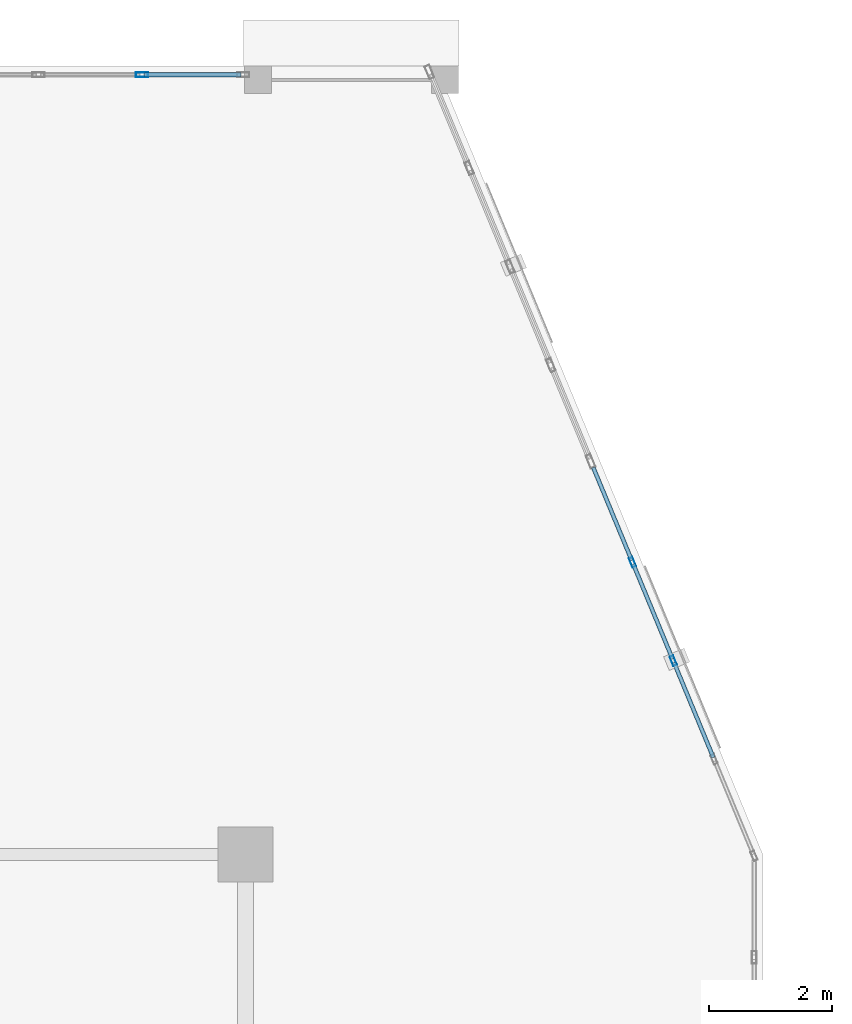
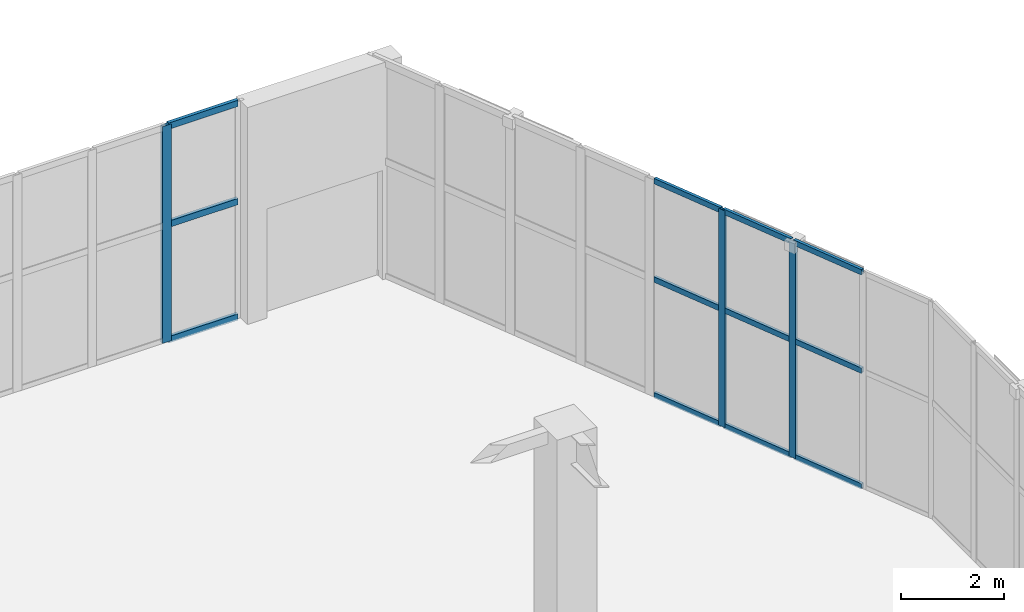
# One storey, part 63 of 139: 15 members, 2 elements without a shape of their own.
"""IFC4 building model written with IfcOpenShell, lengths in metres."""

from ifc_helpers import new_model, si_unit, direction, frame, origin, origin_2d, place, context, subcontext, project, spatial, hollow_rectangle, extrude, material, layer, layer_set, material_profile, profile_set, type_object, element, aggregate, save


model = new_model("IFC4")

# Units and contexts
model_context = context("Model", 3, precision=1e-05, world=origin(), true_north=direction((0.0, 1.0)))
body_context = subcontext(model_context, "Body", "Model", "MODEL_VIEW")
ifc_project = project(units=[si_unit("LENGTHUNIT", "METRE"), si_unit("AREAUNIT", "SQUARE_METRE"), si_unit("VOLUMEUNIT", "CUBIC_METRE"), si_unit("PLANEANGLEUNIT", "RADIAN"), si_unit("MASSUNIT", "GRAM", prefix="KILO")], contexts=[model_context])

# Site, building, storey
site_placement = place(None, origin())
site = spatial("IfcSite", under=ifc_project, at=site_placement, CompositionType="ELEMENT")
building_placement = place(site_placement, origin())
building = spatial("IfcBuilding", under=site, at=building_placement, Name="Xicomal Pleat Aquarium", CompositionType="ELEMENT")
storey_placement = place(building_placement, origin())
storey = spatial("IfcBuildingStorey", under=building, at=storey_placement, Name="L01", CompositionType="ELEMENT", Elevation=0.0)

# Curtain wall, members
ifc_material_1 = material(Name="Bronze anodized aluminium 6063-T6", Category="aluminium")
ifc_layer_1 = layer(ifc_material_1, 0.159912109375)
ifc_layer_set_1 = layer_set([ifc_layer_1], Name="Bronze anodized aluminium 6063-T6")
curtain_wall_type_1 = type_object("IfcCurtainWallType", Name="CW-SYS-01", PredefinedType="NOTDEFINED", material=ifc_layer_set_1)
curtain_wall_1_placement = place(storey_placement, origin())
curtain_wall_1 = element("IfcCurtainWall", 1, at=curtain_wall_1_placement, inside=storey, type_object=curtain_wall_type_1, Name="L01 unitised curtain wall CW-L01-018", PredefinedType="NOTDEFINED")
ifc_material_2 = material(Name="Bronze anodized aluminium 6063-T6", Category="aluminium")
ifc_material_profile_1 = material_profile(ifc_material_2, hollow_rectangle(XDim=0.06494140625, YDim=0.159912109375, WallThickness=0.00390625, at=origin_2d()), Name="ALU MULL 65x160")
ifc_profile_set_1 = profile_set([ifc_material_profile_1], Name="Bronze anodized aluminium 6063-T6")
member_type_1 = type_object("IfcMemberType", Name="CWM-65x160", PredefinedType="MULLION", material=ifc_profile_set_1)
member_1_placement = place(storey_placement, frame((24.883544921875, 103.14599609375, 0.0), z_axis=(0.0, 0.0, 1.0), x_axis=(0.923928870591, 0.382564297978, 0.0)))
member_1 = element("IfcMember", 2, at=member_1_placement, type_object=member_type_1, Name="CW-01 mullion 2", PredefinedType="MULLION", context=body_context, shape_type="SweptSolid", body=[
    extrude(hollow_rectangle(XDim=0.06494140625, YDim=0.159912109375, WallThickness=0.00390625, at=origin_2d()), origin(), (0.0, 0.0, 1.0), 5.159912109375),
])
member_2_placement = place(storey_placement, frame((25.5458984375, 101.5458984375, 0.0), z_axis=(0.0, 0.0, 1.0), x_axis=(0.923928870591, 0.382564297978, 0.0)))
member_2 = element("IfcMember", 3, at=member_2_placement, type_object=member_type_1, Name="CW-01 mullion 3", PredefinedType="MULLION", context=body_context, shape_type="SweptSolid", body=[
    extrude(hollow_rectangle(XDim=0.06494140625, YDim=0.159912109375, WallThickness=0.00390625, at=origin_2d()), origin(), (0.0, 0.0, 1.0), 5.159912109375),
])

# Curtain wall, member
ifc_material_3 = material(Name="Bronze anodized aluminium 6063-T6", Category="aluminium")
ifc_layer_2 = layer(ifc_material_3, 0.159912109375)
ifc_layer_set_2 = layer_set([ifc_layer_2], Name="Bronze anodized aluminium 6063-T6")
curtain_wall_type_2 = type_object("IfcCurtainWallType", Name="CW-SYS-06", PredefinedType="NOTDEFINED", material=ifc_layer_set_2)
curtain_wall_2_placement = place(storey_placement, origin())
curtain_wall_2 = element("IfcCurtainWall", 4, at=curtain_wall_2_placement, inside=storey, type_object=curtain_wall_type_2, Name="L01 unitised curtain wall CW-L01-016", PredefinedType="NOTDEFINED")
ifc_material_4 = material(Name="Bronze anodized aluminium 6063-T6", Category="aluminium")
ifc_material_profile_2 = material_profile(ifc_material_4, hollow_rectangle(XDim=0.074951171875, YDim=0.199951171875, WallThickness=0.00439453125, at=origin_2d()), Name="ALU MULL 75x200")
ifc_profile_set_2 = profile_set([ifc_material_profile_2], Name="Bronze anodized aluminium 6063-T6")
member_type_2 = type_object("IfcMemberType", Name="CWM-75x200", PredefinedType="MULLION", material=ifc_profile_set_2)
member_3_placement = place(storey_placement, frame((16.919921875, 111.06005859375, 0.0), z_axis=(0.0, 0.0, 1.0), x_axis=(0.0, 1.0, 0.0)))
member_3 = element("IfcMember", 5, at=member_3_placement, type_object=member_type_2, Name="CW-06 mullion 5", PredefinedType="MULLION", context=body_context, shape_type="SweptSolid", body=[
    extrude(hollow_rectangle(XDim=0.074951171875, YDim=0.199951171875, WallThickness=0.00439453125, at=origin_2d()), origin(), (0.0, 0.0, 1.0), 5.159912109375),
])

# Member
ifc_material_5 = material(Name="Bronze anodized aluminium 6063-T6", Category="aluminium")
ifc_material_profile_3 = material_profile(ifc_material_5, hollow_rectangle(XDim=0.06494140625, YDim=0.1298828125, WallThickness=0.00390625, at=origin_2d()), Name="ALU TRAN 65x130")
ifc_profile_set_3 = profile_set([ifc_material_profile_3], Name="Bronze anodized aluminium 6063-T6")
member_type_3 = type_object("IfcMemberType", Name="CWT-65x130", PredefinedType="USERDEFINED", material=ifc_profile_set_3)
member_4_placement = place(storey_placement, frame((24.245849609375, 104.685791015625, 0.032470703125), z_axis=(0.3826200946, -0.923905765329, 0.0), x_axis=(0.923905765329, 0.3826200946, 0.0)))
member_4 = element("IfcMember", 6, at=member_4_placement, type_object=member_type_3, Name="CW-01 transom 1.1", ObjectType="TRANSOM", PredefinedType="USERDEFINED", context=body_context, shape_type="SweptSolid", body=[
    extrude(hollow_rectangle(XDim=0.06494140625, YDim=0.1298828125, WallThickness=0.00390625, at=origin_2d()), origin(), (0.0, 0.0, 1.0), 1.634033203125),
])

member_5_placement = place(storey_placement, frame((24.245849609375, 104.685791015625, 2.785888671875), z_axis=(0.3826200946, -0.923905765329, 0.0), x_axis=(0.923905765329, 0.3826200946, 0.0)))
member_5 = element("IfcMember", 7, at=member_5_placement, type_object=member_type_3, Name="CW-01 transom 1.2", ObjectType="TRANSOM", PredefinedType="USERDEFINED", context=body_context, shape_type="SweptSolid", body=[
    extrude(hollow_rectangle(XDim=0.06494140625, YDim=0.1298828125, WallThickness=0.00390625, at=origin_2d()), origin(), (0.0, 0.0, 1.0), 1.634033203125),
])

member_6_placement = place(storey_placement, frame((24.245849609375, 104.685791015625, 5.12744140625), z_axis=(0.3826200946, -0.923905765329, 0.0), x_axis=(0.923905765329, 0.3826200946, 0.0)))
member_6 = element("IfcMember", 8, at=member_6_placement, type_object=member_type_3, Name="CW-01 transom 1.3", ObjectType="TRANSOM", PredefinedType="USERDEFINED", context=body_context, shape_type="SweptSolid", body=[
    extrude(hollow_rectangle(XDim=0.06494140625, YDim=0.1298828125, WallThickness=0.00390625, at=origin_2d()), origin(), (0.0, 0.0, 1.0), 1.634033203125),
])

member_7_placement = place(storey_placement, frame((24.89599609375, 103.115966796875, 0.032470703125), z_axis=(0.382576019711, -0.923924016974, 0.0), x_axis=(0.923924016974, 0.382576019711, 0.0)))
member_7 = element("IfcMember", 9, at=member_7_placement, type_object=member_type_3, Name="CW-01 transom 2.1", ObjectType="TRANSOM", PredefinedType="USERDEFINED", context=body_context, shape_type="SweptSolid", body=[
    extrude(hollow_rectangle(XDim=0.06494140625, YDim=0.1298828125, WallThickness=0.00390625, at=origin_2d()), origin(), (0.0, 0.0, 1.0), 1.666748046875),
])

member_8_placement = place(storey_placement, frame((24.89599609375, 103.115966796875, 2.785888671875), z_axis=(0.382576019711, -0.923924016974, 0.0), x_axis=(0.923924016974, 0.382576019711, 0.0)))
member_8 = element("IfcMember", 10, at=member_8_placement, type_object=member_type_3, Name="CW-01 transom 2.2", ObjectType="TRANSOM", PredefinedType="USERDEFINED", context=body_context, shape_type="SweptSolid", body=[
    extrude(hollow_rectangle(XDim=0.06494140625, YDim=0.1298828125, WallThickness=0.00390625, at=origin_2d()), origin(), (0.0, 0.0, 1.0), 1.666748046875),
])

member_9_placement = place(storey_placement, frame((24.89599609375, 103.115966796875, 5.12744140625), z_axis=(0.382576019711, -0.923924016974, 0.0), x_axis=(0.923924016974, 0.382576019711, 0.0)))
member_9 = element("IfcMember", 11, at=member_9_placement, type_object=member_type_3, Name="CW-01 transom 2.3", ObjectType="TRANSOM", PredefinedType="USERDEFINED", context=body_context, shape_type="SweptSolid", body=[
    extrude(hollow_rectangle(XDim=0.06494140625, YDim=0.1298828125, WallThickness=0.00390625, at=origin_2d()), origin(), (0.0, 0.0, 1.0), 1.666748046875),
])

member_10_placement = place(storey_placement, frame((25.558349609375, 101.51611328125, 0.032470703125), z_axis=(0.382576019711, -0.923924016974, 0.0), x_axis=(0.923924016974, 0.382576019711, 0.0)))
member_10 = element("IfcMember", 12, at=member_10_placement, type_object=member_type_3, Name="CW-01 transom 3.1", ObjectType="TRANSOM", PredefinedType="USERDEFINED", context=body_context, shape_type="SweptSolid", body=[
    extrude(hollow_rectangle(XDim=0.06494140625, YDim=0.1298828125, WallThickness=0.00390625, at=origin_2d()), origin(), (0.0, 0.0, 1.0), 1.666748046875),
])

member_11_placement = place(storey_placement, frame((25.558349609375, 101.51611328125, 2.785888671875), z_axis=(0.382576019711, -0.923924016974, 0.0), x_axis=(0.923924016974, 0.382576019711, 0.0)))
member_11 = element("IfcMember", 13, at=member_11_placement, type_object=member_type_3, Name="CW-01 transom 3.2", ObjectType="TRANSOM", PredefinedType="USERDEFINED", context=body_context, shape_type="SweptSolid", body=[
    extrude(hollow_rectangle(XDim=0.06494140625, YDim=0.1298828125, WallThickness=0.00390625, at=origin_2d()), origin(), (0.0, 0.0, 1.0), 1.666748046875),
])

member_12_placement = place(storey_placement, frame((25.558349609375, 101.51611328125, 5.12744140625), z_axis=(0.382576019711, -0.923924016974, 0.0), x_axis=(0.923924016974, 0.382576019711, 0.0)))
member_12 = element("IfcMember", 14, at=member_12_placement, type_object=member_type_3, Name="CW-01 transom 3.3", ObjectType="TRANSOM", PredefinedType="USERDEFINED", context=body_context, shape_type="SweptSolid", body=[
    extrude(hollow_rectangle(XDim=0.06494140625, YDim=0.1298828125, WallThickness=0.00390625, at=origin_2d()), origin(), (0.0, 0.0, 1.0), 1.666748046875),
])

aggregate(curtain_wall_1, [member_1, member_2, member_4, member_5, member_6, member_7, member_8, member_9, member_10, member_11, member_12])

ifc_material_6 = material(Name="Bronze anodized aluminium 6063-T6", Category="aluminium")
ifc_material_profile_4 = material_profile(ifc_material_6, hollow_rectangle(XDim=0.074951171875, YDim=0.14990234375, WallThickness=0.00439453125, at=origin_2d()), Name="ALU TRAN 75x150")
ifc_profile_set_4 = profile_set([ifc_material_profile_4], Name="Bronze anodized aluminium 6063-T6")
member_type_4 = type_object("IfcMemberType", Name="CWT-75x150", PredefinedType="USERDEFINED", material=ifc_profile_set_4)
member_13_placement = place(storey_placement, frame((16.95751953125, 111.06005859375, 0.03759765625), z_axis=(1.0, 0.0, 0.0), x_axis=(0.0, 1.0, 0.0)))
member_13 = element("IfcMember", 15, at=member_13_placement, type_object=member_type_4, Name="CW-06 transom 5.1", ObjectType="TRANSOM", PredefinedType="USERDEFINED", context=body_context, shape_type="SweptSolid", body=[
    extrude(hollow_rectangle(XDim=0.074951171875, YDim=0.14990234375, WallThickness=0.00439453125, at=origin_2d()), origin(), (0.0, 0.0, 1.0), 1.5673828125),
])

member_14_placement = place(storey_placement, frame((16.95751953125, 111.06005859375, 2.785888671875), z_axis=(1.0, 0.0, 0.0), x_axis=(0.0, 1.0, 0.0)))
member_14 = element("IfcMember", 16, at=member_14_placement, type_object=member_type_4, Name="CW-06 transom 5.2", ObjectType="TRANSOM", PredefinedType="USERDEFINED", context=body_context, shape_type="SweptSolid", body=[
    extrude(hollow_rectangle(XDim=0.074951171875, YDim=0.14990234375, WallThickness=0.00439453125, at=origin_2d()), origin(), (0.0, 0.0, 1.0), 1.5673828125),
])

member_15_placement = place(storey_placement, frame((16.95751953125, 111.06005859375, 5.12255859375), z_axis=(1.0, 0.0, 0.0), x_axis=(0.0, 1.0, 0.0)))
member_15 = element("IfcMember", 17, at=member_15_placement, type_object=member_type_4, Name="CW-06 transom 5.3", ObjectType="TRANSOM", PredefinedType="USERDEFINED", context=body_context, shape_type="SweptSolid", body=[
    extrude(hollow_rectangle(XDim=0.074951171875, YDim=0.14990234375, WallThickness=0.00439453125, at=origin_2d()), origin(), (0.0, 0.0, 1.0), 1.5673828125),
])

aggregate(curtain_wall_2, [member_3, member_13, member_14, member_15])

save(model, "model.ifc")
